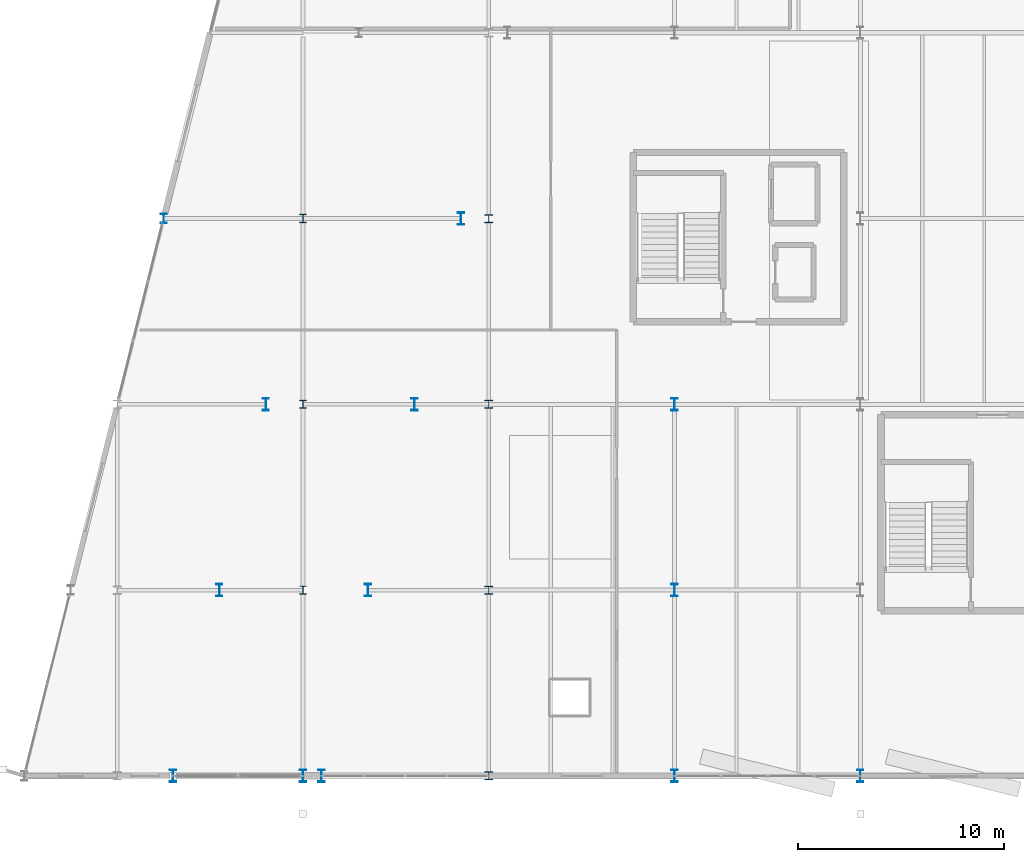
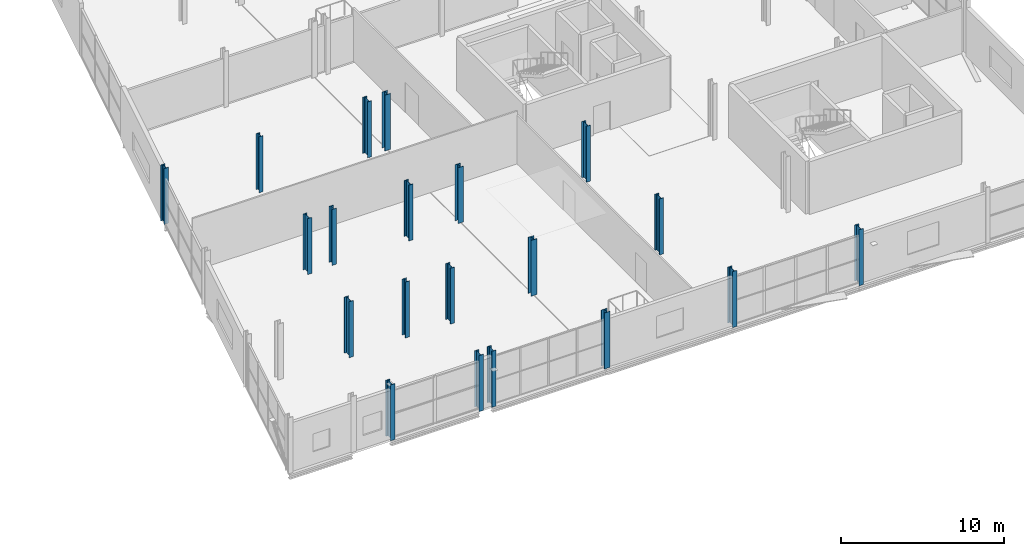
# One storey, part 8 of 88: 20 columns.
"""IFC4 building model written with IfcOpenShell, lengths in metres."""

import ifcopenshell
import ifcopenshell.guid

model = None  # the IFC model being written
_history = None  # IfcOwnerHistory: only IFC2X3 demands one
_inside = {}  # id of a spatial element -> (the spatial element, [elements in it])
_under = {}  # id of a project, library or spatial element -> (it, [spatial elements below it])
_declared = {}  # id of a project -> (the project, [libraries it declares])
_typed = {}  # id of a type object -> (the type object, [elements of that type])
_made_of = {}  # id of a material, layer set ... -> (it, [elements and type objects made of it])


def new_model(schema):
    """Start an empty IFC model of exactly this schema.

    Asked for "IFC4X3", IfcOpenShell would pick the latest addendum, in which some entities
    have other attributes; the version numbers below select the first issue.
    IFC2X3 requires an IfcOwnerHistory on every rooted entity: one is made here for all.
    """
    global model, _history
    if schema == "IFC4X3":
        model = ifcopenshell.file(schema_version=(4, 3, 0, 0))
    else:
        model = ifcopenshell.file(schema=schema)
    _inside.clear()
    _under.clear()
    _declared.clear()
    _typed.clear()
    _made_of.clear()
    _history = None
    if model.schema == "IFC2X3":
        org = make("IfcOrganization", Name="unknown")
        user = make(
            "IfcPersonAndOrganization",
            ThePerson=make("IfcPerson", FamilyName="unknown"),
            TheOrganization=org,
        )
        app = make(
            "IfcApplication",
            ApplicationDeveloper=org,
            Version="unknown",
            ApplicationFullName="unknown",
            ApplicationIdentifier="unknown",
        )
        _history = make(
            "IfcOwnerHistory",
            OwningUser=user,
            OwningApplication=app,
            ChangeAction="ADDED",
            CreationDate=0,
        )
    return model


def make(cls, **values):
    """One entity of the class cls with the attributes given. An attribute that is None is left unset."""
    return model.create_entity(
        cls, **{name: value for name, value in values.items() if value is not None}
    )


def rooted(cls, **values):
    """An entity with a GlobalId (a new one), such as an element, a storey or a relation."""
    return make(cls, GlobalId=ifcopenshell.guid.new(), OwnerHistory=_history, **values)


def si_unit(unit_type, name, prefix=None):
    """IfcSIUnit, for example si_unit("LENGTHUNIT", "METRE", prefix="MILLI")."""
    return make("IfcSIUnit", UnitType=unit_type, Prefix=prefix, Name=name)


def assignment(units):
    """IfcUnitAssignment: the units of a project."""
    return None if units is None else make("IfcUnitAssignment", Units=units)


def point(xyz):
    """IfcCartesianPoint."""
    return None if xyz is None else make("IfcCartesianPoint", Coordinates=xyz)


def direction(xyz):
    """IfcDirection."""
    return None if xyz is None else make("IfcDirection", DirectionRatios=xyz)


def frame(location, z_axis=None, x_axis=None):
    """IfcAxis2Placement3D, a coordinate frame: its origin and axes. An axis left out is left unset."""
    return make(
        "IfcAxis2Placement3D",
        Location=point(location),
        Axis=direction(z_axis),
        RefDirection=direction(x_axis),
    )


def frame_2d(location, x_axis=None):
    """IfcAxis2Placement2D, a coordinate frame in the plane: its origin and x axis."""
    return make(
        "IfcAxis2Placement2D", Location=point(location), RefDirection=direction(x_axis)
    )


def origin():
    """The frame at (0, 0, 0) with its axes left unset."""
    return frame((0.0, 0.0, 0.0))


def origin_2d():
    """The frame at (0, 0) in the plane with its x axis left unset."""
    return frame_2d((0.0, 0.0))


def place(relative_to, where):
    """IfcLocalPlacement: puts the frame where relative to a parent placement (None: the world)."""
    return make(
        "IfcLocalPlacement", PlacementRelTo=relative_to, RelativePlacement=where
    )


def context(
    kind, dimensions, precision=None, world=None, true_north=None, identifier=None
):
    """IfcGeometricRepresentationContext, for example the 3D "Model" context."""
    return make(
        "IfcGeometricRepresentationContext",
        ContextIdentifier=identifier,
        ContextType=kind,
        CoordinateSpaceDimension=dimensions,
        Precision=precision,
        WorldCoordinateSystem=world,
        TrueNorth=true_north,
    )


def subcontext(parent, identifier, kind, view, scale=None):
    """IfcGeometricRepresentationSubContext, for example "Body" below "Model"."""
    return make(
        "IfcGeometricRepresentationSubContext",
        ContextIdentifier=identifier,
        ContextType=kind,
        ParentContext=parent,
        TargetScale=scale,
        TargetView=view,
    )


def project(units=None, contexts=None):
    """IfcProject with its units and contexts."""
    return rooted(
        "IfcProject",
        Name="project",
        RepresentationContexts=contexts,
        UnitsInContext=assignment(units),
    )


def spatial(cls, under=None, at=None, **own):
    """A site, building, storey or space (cls), placed at a placement, below another one or the project."""
    s = rooted(cls, ObjectPlacement=at, **own)
    if under is not None:
        _under.setdefault(under.id(), (under, []))[1].append(s)
    return s


def profile(cls, at=None, kind="AREA", **sizes):
    """A parametric profile (cls). Its sizes go by their IFC names, for example OverallWidth=200.0."""
    return make(cls, ProfileType=kind, Position=at, **sizes)


def i_section(**sizes):
    """IfcIShapeProfileDef."""
    return profile("IfcIShapeProfileDef", **sizes)


def extrude(swept, where, along, depth):
    """IfcExtrudedAreaSolid: the profile swept, set in the frame where, extruded along a direction by depth."""
    return make(
        "IfcExtrudedAreaSolid",
        SweptArea=swept,
        Position=where,
        ExtrudedDirection=direction(along),
        Depth=depth,
    )


def shape(context_of_items, identifier, shape_type, items):
    """IfcShapeRepresentation: the items that make up one representation, for example the "Body"."""
    return make(
        "IfcShapeRepresentation",
        ContextOfItems=context_of_items,
        RepresentationIdentifier=identifier,
        RepresentationType=shape_type,
        Items=items,
    )


def material(Name=None, Category=None):
    """IfcMaterial."""
    return make("IfcMaterial", Name=Name, Category=Category)


def material_profile(
    of_material, cross_section, Name=None, Category=None, Priority=None
):
    """IfcMaterialProfile: a cross section and its material."""
    return make(
        "IfcMaterialProfile",
        Name=Name,
        Material=of_material,
        Profile=cross_section,
        Priority=Priority,
        Category=Category,
    )


def profile_set(profiles, Name=None, composite=None):
    """IfcMaterialProfileSet."""
    return make(
        "IfcMaterialProfileSet",
        Name=Name,
        MaterialProfiles=profiles,
        CompositeProfile=composite,
    )


def made_of(thing, what):
    """Note that an element or type object is made of a material, layer set ...; save() writes the relation."""
    if what is not None:
        _made_of.setdefault(what.id(), (what, []))[1].append(thing)
    return thing


def type_object(cls, material=None, **own):
    """A type object (cls), such as IfcWallType, which elements share."""
    return made_of(rooted(cls, **own), material)


def element(
    cls,
    number,
    at=None,
    inside=None,
    cuts=None,
    type_object=None,
    material=None,
    context=None,
    identifier="Body",
    shape_type=None,
    held_by="IfcProductDefinitionShape",
    body=None,
    shapes=None,
    **own,
):
    """One element of the class cls, such as IfcWall. Its Tag is "e" and its number.

    at: its placement. inside: the storey or other place that contains it. cuts: it is an
    opening in that element (IfcRelVoidsElement). A single representation is given by context,
    identifier, shape_type and body (its items); several are given by shapes. held_by: the class
    of the entity that holds the representations. save() writes the other relations.
    """
    e = rooted(cls, Tag="e%d" % number, ObjectPlacement=at, **own)
    if body is not None:
        shapes = [shape(context, identifier, shape_type, body)]
    if shapes is not None:
        e.Representation = make(held_by, Representations=shapes)
    if inside is not None:
        _inside.setdefault(inside.id(), (inside, []))[1].append(e)
    if cuts is not None:
        rooted(
            "IfcRelVoidsElement", RelatingBuildingElement=cuts, RelatedOpeningElement=e
        )
    if type_object is not None:
        _typed.setdefault(type_object.id(), (type_object, []))[1].append(e)
    return made_of(e, material)


def aggregate(whole, parts):
    """IfcRelAggregates: a whole, such as a stair, and the parts it consists of."""
    return rooted("IfcRelAggregates", RelatingObject=whole, RelatedObjects=parts)


def save(model, path):
    """Write the relations noted so far, then the file.

    IfcRelAggregates (storeys below a building ...), IfcRelContainedInSpatialStructure (elements
    in a storey), IfcRelDefinesByType, IfcRelAssociatesMaterial and IfcRelDeclares: one each for
    every whole, place, type object, material and project.
    """
    for whole, parts in _under.values():
        aggregate(whole, parts)
    for where, things in _inside.values():
        rooted(
            "IfcRelContainedInSpatialStructure",
            RelatedElements=things,
            RelatingStructure=where,
        )
    for kind, things in _typed.values():
        rooted("IfcRelDefinesByType", RelatedObjects=things, RelatingType=kind)
    for what, things in _made_of.values():
        rooted("IfcRelAssociatesMaterial", RelatedObjects=things, RelatingMaterial=what)
    for by, libraries in _declared.values():
        rooted("IfcRelDeclares", RelatingContext=by, RelatedDefinitions=libraries)
    model.write(path)


model = new_model("IFC4")

# Units and contexts
model_context = context("Model", 3, precision=1e-05, world=origin(), true_north=direction((0.0, 1.0)))
body_context = subcontext(model_context, "Body", "Model", "MODEL_VIEW")
ifc_project = project(units=[si_unit("LENGTHUNIT", "METRE"), si_unit("AREAUNIT", "SQUARE_METRE"), si_unit("VOLUMEUNIT", "CUBIC_METRE"), si_unit("PLANEANGLEUNIT", "RADIAN"), si_unit("MASSUNIT", "GRAM", prefix="KILO")], contexts=[model_context])

# Site, building, storey
site_placement = place(None, origin())
site = spatial("IfcSite", under=ifc_project, at=site_placement, CompositionType="ELEMENT")
building_placement = place(site_placement, origin())
building = spatial("IfcBuilding", under=site, at=building_placement, Name="Deido Ridge Mobility Hub", CompositionType="ELEMENT")
storey_placement = place(building_placement, frame((0.0, 0.0, 16.800048828125)))
storey = spatial("IfcBuildingStorey", under=building, at=storey_placement, Name="L04", CompositionType="ELEMENT", Elevation=16.800048828125)

# Columns
ifc_material = material(Name="Steel S355J2 EN 10025-2", Category="steel")
ifc_material_profile_1 = material_profile(ifc_material, i_section(OverallWidth=0.39892578125, OverallDepth=0.39306640625, WebThickness=0.017578125, FlangeThickness=0.028076171875, FilletRadius=0.014892578125, at=origin_2d()), Name="HD 400x287")
ifc_profile_set_1 = profile_set([ifc_material_profile_1], Name="Steel S355J2 EN 10025-2")
column_type_1 = type_object("IfcColumnType", Name="COL-HD400-287", PredefinedType="COLUMN", material=ifc_profile_set_1)
for number, where, z_axis, x_axis, name in (
    (1, (144.0, 0.0, 0.0), (0.0, 0.0, 1.0), (1.0, 0.0, 0.0), "Structural column C2"),
    (2, (144.0, 9.0, 0.0), (0.0, 0.0, 1.0), (1.0, 0.0, 0.0), "Structural column C2"),
    (3, (144.0, 18.0, 0.0), (0.0, 0.0, 1.0), (1.0, 0.0, 0.0), "Structural column C2"),
    (4, (144.0, 27.0, 0.0), (0.0, 0.0, 1.0), (1.0, 0.0, 0.0), "Structural column C2"),
):
    element("IfcColumn", number, at=place(storey_placement, frame(where, z_axis=z_axis, x_axis=x_axis)), inside=storey, type_object=column_type_1, Name=name, PredefinedType="COLUMN", context=body_context, shape_type="SweptSolid", body=[
        extrude(i_section(OverallWidth=0.39892578125, OverallDepth=0.39306640625, WebThickness=0.017578125, FlangeThickness=0.028076171875, FilletRadius=0.014892578125, at=origin_2d()), origin(), (0.0, 0.0, 1.0), 4.199951171875),
    ])
ifc_material_profile_2 = material_profile(ifc_material, i_section(OverallWidth=0.300048828125, OverallDepth=0.39990234375, WebThickness=0.013427734375, FlangeThickness=0.02392578125, FilletRadius=0.027099609375, at=origin_2d()), Name="HEB 400")
ifc_profile_set_2 = profile_set([ifc_material_profile_2], Name="Steel S355J2 EN 10025-2")
column_type_2 = type_object("IfcColumnType", Name="COL-HEB400", PredefinedType="COLUMN", material=ifc_profile_set_2)
for number, where, z_axis, x_axis, name in (
    (5, (135.0, 9.0, 0.0), (0.0, 0.0, 1.0), (1.0, 0.0, 0.0), "Structural column C7"),
    (6, (135.0, 18.0, 0.0), (0.0, 0.0, 1.0), (1.0, 0.0, 0.0), "Structural column C7"),
    (7, (135.0, 27.0, 0.0), (0.0, 0.0, 1.0), (1.0, 0.0, 0.0), "Structural column C7"),
):
    element("IfcColumn", number, at=place(storey_placement, frame(where, z_axis=z_axis, x_axis=x_axis)), inside=storey, type_object=column_type_2, Name=name, PredefinedType="COLUMN", context=body_context, shape_type="SweptSolid", body=[
        extrude(i_section(OverallWidth=0.300048828125, OverallDepth=0.39990234375, WebThickness=0.013427734375, FlangeThickness=0.02392578125, FilletRadius=0.027099609375, at=origin_2d()), origin(), (0.0, 0.0, 1.0), 4.199951171875),
    ])
ifc_material_profile_3 = material_profile(ifc_material, i_section(OverallWidth=0.300048828125, OverallDepth=0.449951171875, WebThickness=0.013916015625, FlangeThickness=0.02587890625, FilletRadius=0.027099609375, at=origin_2d()), Name="HEB 450")
ifc_profile_set_3 = profile_set([ifc_material_profile_3], Name="Steel S355J2 EN 10025-2")
column_type_3 = type_object("IfcColumnType", Name="COL-HEB450", PredefinedType="COLUMN", material=ifc_profile_set_3)
column_placement = place(storey_placement, frame((128.25, 27.0, 0.0), z_axis=(0.0, 0.0, 1.0), x_axis=(1.0, 0.0, 0.0)))
element("IfcColumn", 8, at=column_placement, inside=storey, type_object=column_type_3, Name="Structural column C6", PredefinedType="COLUMN", context=body_context, shape_type="SweptSolid", body=[
    extrude(i_section(OverallWidth=0.300048828125, OverallDepth=0.449951171875, WebThickness=0.013916015625, FlangeThickness=0.02587890625, FilletRadius=0.027099609375, at=origin_2d()), origin(), (0.0, 0.0, 1.0), 4.199951171875),
])
ifc_material_profile_4 = material_profile(ifc_material, i_section(OverallWidth=0.300048828125, OverallDepth=0.60009765625, WebThickness=0.015380859375, FlangeThickness=0.030029296875, FilletRadius=0.027099609375, at=origin_2d()), Name="HEB 600")
ifc_profile_set_4 = profile_set([ifc_material_profile_4], Name="Steel S355J2 EN 10025-2")
column_type_4 = type_object("IfcColumnType", Name="COL-HEB600", PredefinedType="COLUMN", material=ifc_profile_set_4)
for number, where, z_axis, x_axis, name in (
    (9, (128.699951171875, 0.0, 0.0), (0.0, 0.0, 1.0), (1.0, 0.0, 0.0), "Structural column C4"),
    (10, (135.0, 0.0, 0.0), (0.0, 0.0, 1.0), (1.0, 0.0, 0.0), "Structural column C4"),
    (11, (135.89990234375, 0.0, 0.0), (0.0, 0.0, 1.0), (1.0, 0.0, 0.0), "Structural column C4"),
    (12, (153.0, 0.0, 0.0), (0.0, 0.0, 1.0), (1.0, 0.0, 0.0), "Structural column C4"),
    (13, (162.0, 0.0, 0.0), (0.0, 0.0, 1.0), (1.0, 0.0, 0.0), "Structural column C4"),
    (14, (130.949951171875, 9.0, 0.0), (0.0, 0.0, 1.0), (1.0, 0.0, 0.0), "Structural column C4"),
    (15, (138.14990234375, 9.0, 0.0), (0.0, 0.0, 1.0), (1.0, 0.0, 0.0), "Structural column C4"),
    (16, (153.0, 9.0, 0.0), (0.0, 0.0, 1.0), (1.0, 0.0, 0.0), "Structural column C4"),
    (17, (133.199951171875, 18.0, 0.0), (0.0, 0.0, 1.0), (1.0, 0.0, 0.0), "Structural column C4"),
    (18, (140.39990234375, 18.0, 0.0), (0.0, 0.0, 1.0), (1.0, 0.0, 0.0), "Structural column C4"),
    (19, (153.0, 18.0, 0.0), (0.0, 0.0, 1.0), (1.0, 0.0, 0.0), "Structural column C4"),
    (20, (142.64990234375, 27.0, 0.0), (0.0, 0.0, 1.0), (1.0, 0.0, 0.0), "Structural column C4"),
):
    element("IfcColumn", number, at=place(storey_placement, frame(where, z_axis=z_axis, x_axis=x_axis)), inside=storey, type_object=column_type_4, Name=name, PredefinedType="COLUMN", context=body_context, shape_type="SweptSolid", body=[
        extrude(i_section(OverallWidth=0.300048828125, OverallDepth=0.60009765625, WebThickness=0.015380859375, FlangeThickness=0.030029296875, FilletRadius=0.027099609375, at=origin_2d()), origin(), (0.0, 0.0, 1.0), 4.199951171875),
    ])

save(model, "model.ifc")
